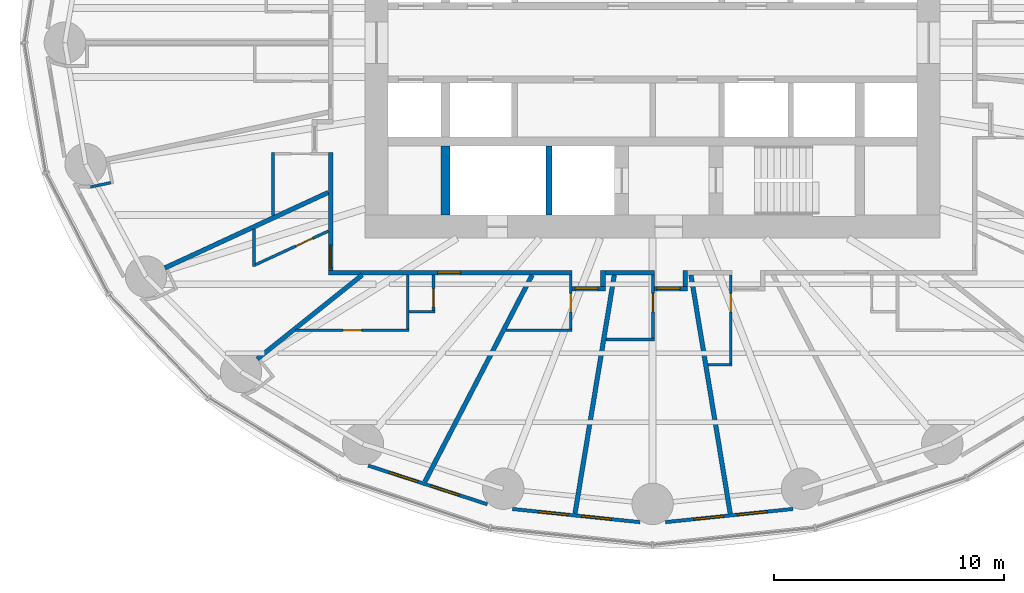
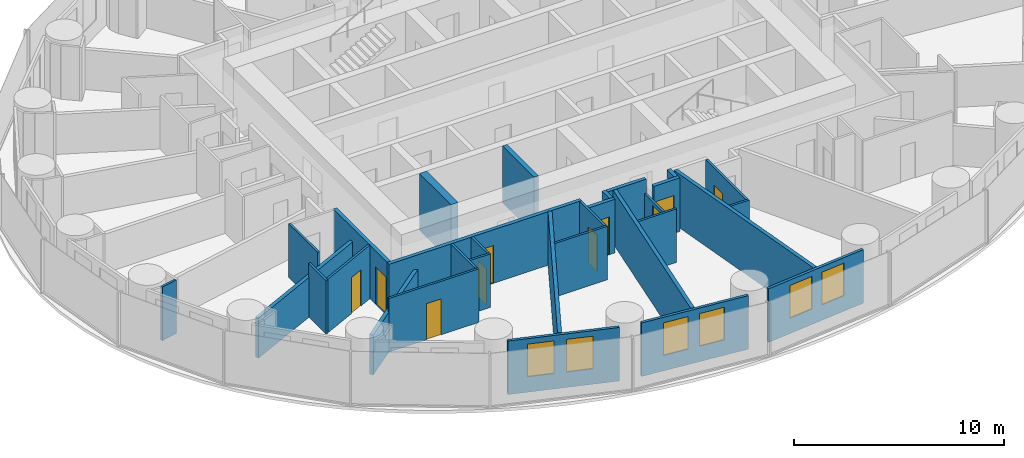
# One storey, part 6 of 14: 31 walls, 10 doors, 6 windows, 16 openings.
"""IFC4 building model written with IfcOpenShell, lengths in metres."""

from ifc_helpers import new_model, si_unit, direction, frame, frame_2d, origin, place, context, subcontext, project, spatial, rectangle, extrude, material, layer, layer_set, type_object, element, fill, save


model = new_model("IFC4")

# Units and contexts
model_context = context("Model", 3, precision=1e-05, world=origin(), true_north=direction((0.0, 1.0)))
body_context = subcontext(model_context, "Body", "Model", "MODEL_VIEW")
ifc_project = project(units=[si_unit("LENGTHUNIT", "METRE"), si_unit("AREAUNIT", "SQUARE_METRE"), si_unit("VOLUMEUNIT", "CUBIC_METRE"), si_unit("PLANEANGLEUNIT", "RADIAN"), si_unit("MASSUNIT", "GRAM", prefix="KILO")], contexts=[model_context])

# Site, building, storey
site_placement = place(None, origin())
site = spatial("IfcSite", under=ifc_project, at=site_placement, CompositionType="ELEMENT")
building_placement = place(site_placement, origin())
building = spatial("IfcBuilding", under=site, at=building_placement, Name="Hankou Lantern Tower", CompositionType="ELEMENT")
storey_placement = place(building_placement, frame((0.0, 0.0, 36.0)))
storey = spatial("IfcBuildingStorey", under=building, at=storey_placement, Name="L07", CompositionType="ELEMENT", Elevation=36.0)

# Wall
ifc_material_1 = material(Name="Concrete C60", Category="concrete")
ifc_layer_1 = layer(ifc_material_1, 0.39990234375)
ifc_layer_set_1 = layer_set([ifc_layer_1], Name="Concrete C60")
wall_type_1 = type_object("IfcWallType", Name="CW4 CORE CROSS WALL 400", PredefinedType="SHEAR", material=ifc_layer_set_1)
wall_1_placement = place(storey_placement, frame((-9.0, -7.5, 0.0), z_axis=(0.0, 0.0, 1.0), x_axis=(0.0, 1.0, 0.0)))
element("IfcWall", 1, at=wall_1_placement, inside=storey, type_object=wall_type_1, Name="Core strip wall L07", PredefinedType="SHEAR", context=body_context, shape_type="SweptSolid", body=[
    extrude(rectangle(XDim=3.0, YDim=0.39990234375, at=frame_2d((1.5, 0.0))), origin(), (0.0, 0.0, 1.0), 3.300048828125),
])

# Wall, openings, windows
ifc_material_2 = material(Name="Aluminium spandrel panel on steel studs", Category="steel")
ifc_layer_2 = layer(ifc_material_2, 0.14990234375)
ifc_layer_set_2 = layer_set([ifc_layer_2], Name="Aluminium spandrel panel on steel studs")
wall_type_2 = type_object("IfcWallType", Name="EW1 INNER SKIN WALL 150", PredefinedType="ELEMENTEDWALL", material=ifc_layer_set_2)
wall_2_placement = place(storey_placement, frame((-12.3662109375, -18.384033203125, 0.0), z_axis=(0.0, 0.0, 1.0), x_axis=(0.951138486029, -0.308764603532, 0.0)))
wall_2 = element("IfcWall", 2, at=wall_2_placement, inside=storey, type_object=wall_type_2, Name="Inner skin R17-R18 L07", PredefinedType="ELEMENTEDWALL", context=body_context, shape_type="SweptSolid", body=[
    extrude(rectangle(XDim=5.444091796875, YDim=0.14990234375, at=frame_2d((2.72216796875, 0.0))), origin(), (0.0, 0.0, 1.0), 3.1201171875),
])
opening_1_placement = place(wall_2_placement, frame((0.959716796875, 0.0, 0.89990234375)))
opening_1 = element("IfcOpeningElement", 3, at=opening_1_placement, cuts=wall_2, Name="Opening W9", PredefinedType="OPENING", context=body_context, shape_type="SweptSolid", body=[
    extrude(rectangle(XDim=1.300048828125, YDim=1.89990234375, at=frame_2d((0.64990234375, 0.949951171875))), frame((0.0, 0.0849609375, 0.0), z_axis=(0.0, -1.0, 0.0), x_axis=(1.0, 0.0, 0.0)), (0.0, 0.0, 1.0), 0.169921875),
])
opening_2_placement = place(wall_2_placement, frame((2.85986328125, 0.0, 0.89990234375)))
opening_2 = element("IfcOpeningElement", 4, at=opening_2_placement, cuts=wall_2, Name="Opening W9", PredefinedType="OPENING", context=body_context, shape_type="SweptSolid", body=[
    extrude(rectangle(XDim=1.300048828125, YDim=1.89990234375, at=frame_2d((0.64990234375, 0.949951171875))), frame((0.0, 0.0849609375, 0.0), z_axis=(0.0, -1.0, 0.0), x_axis=(1.0, 0.0, 0.0)), (0.0, 0.0, 1.0), 0.169921875),
])
ifc_material_3 = material(Name="Aluminium framed double glazed window", Category="aluminium")
window_type = type_object("IfcWindowType", Name="W9 GUEST ROOM WINDOW 1300X1900", PartitioningType="DOUBLE_PANEL_VERTICAL", PredefinedType="WINDOW", material=ifc_material_3)
window_1_placement = place(opening_1_placement, origin())
window_1 = element("IfcWindow", 5, at=window_1_placement, inside=storey, type_object=window_type, Name="Window R17.1 L07", OverallHeight=1.89990234375, OverallWidth=1.300048828125, PartitioningType="SINGLE_PANEL", PredefinedType="WINDOW", context=body_context, shape_type="SweptSolid", body=[
    extrude(rectangle(XDim=1.300048828125, YDim=1.89990234375, at=frame_2d((0.64990234375, 0.949951171875))), frame((0.0, 0.030029296875, 0.0), z_axis=(0.0, -1.0, 0.0), x_axis=(1.0, 0.0, 0.0)), (0.0, 0.0, 1.0), 0.06005859375),
])
fill(opening_1, window_1)
window_2_placement = place(opening_2_placement, origin())
window_2 = element("IfcWindow", 6, at=window_2_placement, inside=storey, type_object=window_type, Name="Window R17.2 L07", OverallHeight=1.89990234375, OverallWidth=1.300048828125, PartitioningType="SINGLE_PANEL", PredefinedType="WINDOW", context=body_context, shape_type="SweptSolid", body=[
    extrude(rectangle(XDim=1.300048828125, YDim=1.89990234375, at=frame_2d((0.64990234375, 0.949951171875))), frame((0.0, 0.030029296875, 0.0), z_axis=(0.0, -1.0, 0.0), x_axis=(1.0, 0.0, 0.0)), (0.0, 0.0, 1.0), 0.06005859375),
])
fill(opening_2, window_2)

wall_3_placement = place(storey_placement, frame((-6.09765625, -20.27099609375, 0.0), z_axis=(0.0, 0.0, 1.0), x_axis=(0.994723735084, -0.102589915983, 0.0)))
wall_3 = element("IfcWall", 7, at=wall_3_placement, inside=storey, type_object=wall_type_2, Name="Inner skin R18-R19 L07", PredefinedType="ELEMENTEDWALL", context=body_context, shape_type="SweptSolid", body=[
    extrude(rectangle(XDim=5.575927734375, YDim=0.14990234375, at=frame_2d((2.7880859375, 0.0))), origin(), (0.0, 0.0, 1.0), 3.1201171875),
])
opening_3_placement = place(wall_3_placement, frame((1.128662109375, 0.0, 0.89990234375)))
opening_3 = element("IfcOpeningElement", 8, at=opening_3_placement, cuts=wall_3, Name="Opening W9", PredefinedType="OPENING", context=body_context, shape_type="SweptSolid", body=[
    extrude(rectangle(XDim=1.300048828125, YDim=1.89990234375, at=frame_2d((0.64990234375, 0.949951171875))), frame((0.0, 0.0849609375, 0.0), z_axis=(0.0, -1.0, 0.0), x_axis=(1.0, 0.0, 0.0)), (0.0, 0.0, 1.0), 0.169921875),
])
opening_4_placement = place(wall_3_placement, frame((3.02880859375, 0.0, 0.89990234375)))
opening_4 = element("IfcOpeningElement", 9, at=opening_4_placement, cuts=wall_3, Name="Opening W9", PredefinedType="OPENING", context=body_context, shape_type="SweptSolid", body=[
    extrude(rectangle(XDim=1.300048828125, YDim=1.89990234375, at=frame_2d((0.64990234375, 0.949951171875))), frame((0.0, 0.0849609375, 0.0), z_axis=(0.0, -1.0, 0.0), x_axis=(1.0, 0.0, 0.0)), (0.0, 0.0, 1.0), 0.169921875),
])
window_3_placement = place(opening_3_placement, origin())
window_3 = element("IfcWindow", 10, at=window_3_placement, inside=storey, type_object=window_type, Name="Window R18.1 L07", OverallHeight=1.89990234375, OverallWidth=1.300048828125, PartitioningType="SINGLE_PANEL", PredefinedType="WINDOW", context=body_context, shape_type="SweptSolid", body=[
    extrude(rectangle(XDim=1.300048828125, YDim=1.89990234375, at=frame_2d((0.64990234375, 0.949951171875))), frame((0.0, 0.030029296875, 0.0), z_axis=(0.0, -1.0, 0.0), x_axis=(1.0, 0.0, 0.0)), (0.0, 0.0, 1.0), 0.06005859375),
])
fill(opening_3, window_3)
window_4_placement = place(opening_4_placement, origin())
window_4 = element("IfcWindow", 11, at=window_4_placement, inside=storey, type_object=window_type, Name="Window R18.2 L07", OverallHeight=1.89990234375, OverallWidth=1.300048828125, PartitioningType="SINGLE_PANEL", PredefinedType="WINDOW", context=body_context, shape_type="SweptSolid", body=[
    extrude(rectangle(XDim=1.300048828125, YDim=1.89990234375, at=frame_2d((0.64990234375, 0.949951171875))), frame((0.0, 0.030029296875, 0.0), z_axis=(0.0, -1.0, 0.0), x_axis=(1.0, 0.0, 0.0)), (0.0, 0.0, 1.0), 0.06005859375),
])
fill(opening_4, window_4)

wall_4_placement = place(storey_placement, frame((0.55126953125, -20.843017578125, 0.0), z_axis=(0.0, 0.0, 1.0), x_axis=(0.994723735084, 0.102589915983, 0.0)))
wall_4 = element("IfcWall", 12, at=wall_4_placement, inside=storey, type_object=wall_type_2, Name="Inner skin R19-R20 L07", PredefinedType="ELEMENTEDWALL", context=body_context, shape_type="SweptSolid", body=[
    extrude(rectangle(XDim=5.575927734375, YDim=0.14990234375, at=frame_2d((2.7880859375, 0.0))), origin(), (0.0, 0.0, 1.0), 3.1201171875),
])
opening_5_placement = place(wall_4_placement, frame((1.246826171875, 0.0, 0.89990234375)))
opening_5 = element("IfcOpeningElement", 13, at=opening_5_placement, cuts=wall_4, Name="Opening W9", PredefinedType="OPENING", context=body_context, shape_type="SweptSolid", body=[
    extrude(rectangle(XDim=1.300048828125, YDim=1.89990234375, at=frame_2d((0.64990234375, 0.949951171875))), frame((0.0, 0.0849609375, 0.0), z_axis=(0.0, -1.0, 0.0), x_axis=(1.0, 0.0, 0.0)), (0.0, 0.0, 1.0), 0.169921875),
])
opening_6_placement = place(wall_4_placement, frame((3.146728515625, 0.0, 0.89990234375)))
opening_6 = element("IfcOpeningElement", 14, at=opening_6_placement, cuts=wall_4, Name="Opening W9", PredefinedType="OPENING", context=body_context, shape_type="SweptSolid", body=[
    extrude(rectangle(XDim=1.300048828125, YDim=1.89990234375, at=frame_2d((0.64990234375, 0.949951171875))), frame((0.0, 0.0849609375, 0.0), z_axis=(0.0, -1.0, 0.0), x_axis=(1.0, 0.0, 0.0)), (0.0, 0.0, 1.0), 0.169921875),
])
window_5_placement = place(opening_5_placement, origin())
window_5 = element("IfcWindow", 15, at=window_5_placement, inside=storey, type_object=window_type, Name="Window R19.1 L07", OverallHeight=1.89990234375, OverallWidth=1.300048828125, PartitioningType="SINGLE_PANEL", PredefinedType="WINDOW", context=body_context, shape_type="SweptSolid", body=[
    extrude(rectangle(XDim=1.300048828125, YDim=1.89990234375, at=frame_2d((0.64990234375, 0.949951171875))), frame((0.0, 0.030029296875, 0.0), z_axis=(0.0, -1.0, 0.0), x_axis=(1.0, 0.0, 0.0)), (0.0, 0.0, 1.0), 0.06005859375),
])
fill(opening_5, window_5)
window_6_placement = place(opening_6_placement, origin())
window_6 = element("IfcWindow", 16, at=window_6_placement, inside=storey, type_object=window_type, Name="Window R19.2 L07", OverallHeight=1.89990234375, OverallWidth=1.300048828125, PartitioningType="SINGLE_PANEL", PredefinedType="WINDOW", context=body_context, shape_type="SweptSolid", body=[
    extrude(rectangle(XDim=1.300048828125, YDim=1.89990234375, at=frame_2d((0.64990234375, 0.949951171875))), frame((0.0, 0.030029296875, 0.0), z_axis=(0.0, -1.0, 0.0), x_axis=(1.0, 0.0, 0.0)), (0.0, 0.0, 1.0), 0.06005859375),
])
fill(opening_6, window_6)

# Walls
ifc_material_4 = material(Name="Masonry lightweight concrete block", Category="masonry")
ifc_layer_3 = layer(ifc_material_4, 0.199951171875)
ifc_layer_set_3 = layer_set([ifc_layer_3], Name="Masonry lightweight concrete block")
wall_type_3 = type_object("IfcWallType", Name="IW1 GUEST ROOM PARTY WALL 200", PredefinedType="PARTITIONING", material=ifc_layer_set_3)
wall_5_placement = place(storey_placement, frame((-14.10009765625, -6.512451171875, 0.0), z_axis=(0.0, 0.0, 1.0), x_axis=(-0.907842433118, -0.41931147925, 0.0)))
element("IfcWall", 17, at=wall_5_placement, inside=storey, type_object=wall_type_3, Name="Party wall R15", PredefinedType="PARTITIONING", context=body_context, shape_type="SweptSolid", body=[
    extrude(rectangle(XDim=7.822998046875, YDim=0.199951171875, at=frame_2d((3.91162109375, 0.0))), origin(), (0.0, 0.0, 1.0), 2.320068359375),
])
wall_6_placement = place(storey_placement, frame((-12.625, -10.10009765625, 0.0), z_axis=(0.0, 0.0, 1.0), x_axis=(-0.780872884676, -0.624689953479, 0.0)))
element("IfcWall", 18, at=wall_6_placement, inside=storey, type_object=wall_type_3, Name="Party wall R16", PredefinedType="PARTITIONING", context=body_context, shape_type="SweptSolid", body=[
    extrude(rectangle(XDim=5.8447265625, YDim=0.199951171875, at=frame_2d((2.92236328125, 0.0))), origin(), (0.0, 0.0, 1.0), 2.320068359375),
])
wall_7_placement = place(storey_placement, frame((-5.238525390625, -10.10009765625, 0.0), z_axis=(0.0, 0.0, 1.0), x_axis=(-0.460422783389, -0.887699758103, 0.0)))
element("IfcWall", 19, at=wall_7_placement, inside=storey, type_object=wall_type_3, Name="Party wall R17-R18", PredefinedType="PARTITIONING", context=body_context, shape_type="SweptSolid", body=[
    extrude(rectangle(XDim=10.120361328125, YDim=0.199951171875, at=frame_2d((5.06005859375, 0.0))), origin(), (0.0, 0.0, 1.0), 3.1201171875),
])
for number, where, z_axis, x_axis, name in (
    (20, (-1.6650390625, -10.10009765625, 0.0), (0.0, 0.0, 1.0), (-0.162657606458, -0.986682574621, 0.0), "Party wall R18-R19"),
    (21, (1.6650390625, -10.10009765625, 0.0), (0.0, 0.0, 1.0), (0.162657606458, -0.986682574621, 0.0), "Party wall R19-R20"),
):
    element("IfcWall", number, at=place(storey_placement, frame(where, z_axis=z_axis, x_axis=x_axis)), inside=storey, type_object=wall_type_3, Name=name, PredefinedType="PARTITIONING", context=body_context, shape_type="SweptSolid", body=[
        extrude(rectangle(XDim=10.505126953125, YDim=0.199951171875, at=frame_2d((5.25244140625, 0.0))), origin(), (0.0, 0.0, 1.0), 3.1201171875),
    ])

# Wall, opening, door
ifc_material_5 = material(Name="Masonry lightweight concrete block", Category="masonry")
ifc_layer_4 = layer(ifc_material_5, 0.199951171875)
ifc_layer_set_4 = layer_set([ifc_layer_4], Name="Masonry lightweight concrete block")
wall_type_4 = type_object("IfcWallType", Name="IW2 CORRIDOR WALL 200", PredefinedType="PARTITIONING", material=ifc_layer_set_4)
wall_8_placement = place(storey_placement, frame((-2.05859375, -10.699951171875, 0.0), z_axis=(0.0, 0.0, 1.0), x_axis=(-1.0, 0.0, 0.0)))
wall_8 = element("IfcWall", 22, at=wall_8_placement, inside=storey, type_object=wall_type_4, Name="Corridor recess wall 0719 back", PredefinedType="PARTITIONING", context=body_context, shape_type="SweptSolid", body=[
    extrude(rectangle(XDim=1.43994140625, YDim=0.199951171875, at=frame_2d((0.719970703125, 0.0))), origin(), (0.0, 0.0, 1.0), 3.1201171875),
])
opening_7_placement = place(wall_8_placement, frame((0.320068359375, 0.0, 0.0)))
opening_7 = element("IfcOpeningElement", 23, at=opening_7_placement, cuts=wall_8, Name="Opening D1", PredefinedType="OPENING", context=body_context, shape_type="SweptSolid", body=[
    extrude(rectangle(XDim=1.0, YDim=2.199951171875, at=frame_2d((0.5, 1.10009765625))), frame((0.0, 0.10986328125, 0.0), z_axis=(0.0, -1.0, 0.0), x_axis=(1.0, 0.0, 0.0)), (0.0, 0.0, 1.0), 0.219970703125),
])
ifc_material_6 = material(Name="Steel door leaf", Category="steel")
door_type_1 = type_object("IfcDoorType", Name="D1 GUEST ROOM DOOR 1000X2200", OperationType="SINGLE_SWING_LEFT", PredefinedType="DOOR", material=ifc_material_6)
door_1_placement = place(opening_7_placement, origin())
door_1 = element("IfcDoor", 24, at=door_1_placement, inside=storey, type_object=door_type_1, Name="Guest room door 0719", OperationType="SINGLE_SWING_RIGHT", OverallHeight=2.199951171875, OverallWidth=1.0, PredefinedType="DOOR", context=body_context, shape_type="SweptSolid", body=[
    extrude(rectangle(XDim=1.0, YDim=2.199951171875, at=frame_2d((0.5, 1.10009765625))), frame((0.0, 0.02490234375, 0.0), z_axis=(0.0, -1.0, 0.0), x_axis=(1.0, 0.0, 0.0)), (0.0, 0.0, 1.0), 0.050048828125),
])
fill(opening_7, door_1)

# Wall
wall_9_placement = place(storey_placement, frame((-2.15869140625, -9.89990234375, 0.0), z_axis=(0.0, 0.0, 1.0), x_axis=(0.0, -1.0, 0.0)))
element("IfcWall", 25, at=wall_9_placement, inside=storey, type_object=wall_type_4, Name="Corridor recess wall 0719 side", PredefinedType="PARTITIONING", context=body_context, shape_type="SweptSolid", body=[
    extrude(rectangle(XDim=0.7001953125, YDim=0.199951171875, at=frame_2d((0.35009765625, 0.0))), origin(), (0.0, 0.0, 1.0), 3.1201171875),
])

# Wall, opening, door
wall_10_placement = place(storey_placement, frame((1.51513671875, -10.699951171875, 0.0), z_axis=(0.0, 0.0, 1.0), x_axis=(-1.0, 0.0, 0.0)))
wall_10 = element("IfcWall", 26, at=wall_10_placement, inside=storey, type_object=wall_type_4, Name="Corridor recess wall 0720 back", PredefinedType="PARTITIONING", context=body_context, shape_type="SweptSolid", body=[
    extrude(rectangle(XDim=1.440185546875, YDim=0.199951171875, at=frame_2d((0.72021484375, 0.0))), origin(), (0.0, 0.0, 1.0), 3.1201171875),
])
opening_8_placement = place(wall_10_placement, frame((0.320068359375, 0.0, 0.0)))
opening_8 = element("IfcOpeningElement", 27, at=opening_8_placement, cuts=wall_10, Name="Opening D1", PredefinedType="OPENING", context=body_context, shape_type="SweptSolid", body=[
    extrude(rectangle(XDim=1.0, YDim=2.199951171875, at=frame_2d((0.5, 1.10009765625))), frame((0.0, 0.10986328125, 0.0), z_axis=(0.0, -1.0, 0.0), x_axis=(1.0, 0.0, 0.0)), (0.0, 0.0, 1.0), 0.219970703125),
])
door_2_placement = place(opening_8_placement, origin())
door_2 = element("IfcDoor", 28, at=door_2_placement, inside=storey, type_object=door_type_1, Name="Guest room door 0720", OperationType="SINGLE_SWING_RIGHT", OverallHeight=2.199951171875, OverallWidth=1.0, PredefinedType="DOOR", context=body_context, shape_type="SweptSolid", body=[
    extrude(rectangle(XDim=1.0, YDim=2.199951171875, at=frame_2d((0.5, 1.10009765625))), frame((0.0, 0.02490234375, 0.0), z_axis=(0.0, -1.0, 0.0), x_axis=(1.0, 0.0, 0.0)), (0.0, 0.0, 1.0), 0.050048828125),
])
fill(opening_8, door_2)

# Wall
wall_11_placement = place(storey_placement, frame((1.4150390625, -9.89990234375, 0.0), z_axis=(0.0, 0.0, 1.0), x_axis=(0.0, -1.0, 0.0)))
element("IfcWall", 29, at=wall_11_placement, inside=storey, type_object=wall_type_4, Name="Corridor recess wall 0720 side", PredefinedType="PARTITIONING", context=body_context, shape_type="SweptSolid", body=[
    extrude(rectangle(XDim=0.7001953125, YDim=0.199951171875, at=frame_2d((0.35009765625, 0.0))), origin(), (0.0, 0.0, 1.0), 3.1201171875),
])

# Wall, opening, door
wall_12_placement = place(storey_placement, frame((-14.0, -4.7724609375, 0.0), z_axis=(0.0, 0.0, 1.0), x_axis=(0.0, -1.0, 0.0)))
wall_12 = element("IfcWall", 30, at=wall_12_placement, inside=storey, type_object=wall_type_4, Name="Corridor wall west", PredefinedType="PARTITIONING", context=body_context, shape_type="SweptSolid", body=[
    extrude(rectangle(XDim=5.12744140625, YDim=0.199951171875, at=frame_2d((2.563720703125, 0.0))), origin(), (0.0, 0.0, 1.0), 3.1201171875),
])
opening_9_placement = place(wall_12_placement, frame((4.02490234375, 0.0, 0.0)))
opening_9 = element("IfcOpeningElement", 31, at=opening_9_placement, cuts=wall_12, Name="Opening D1", PredefinedType="OPENING", context=body_context, shape_type="SweptSolid", body=[
    extrude(rectangle(XDim=1.0, YDim=2.199951171875, at=frame_2d((0.5, 1.10009765625))), frame((0.0, 0.10986328125, 0.0), z_axis=(0.0, -1.0, 0.0), x_axis=(1.0, 0.0, 0.0)), (0.0, 0.0, 1.0), 0.219970703125),
])
door_3_placement = place(opening_9_placement, origin())
door_3 = element("IfcDoor", 32, at=door_3_placement, inside=storey, type_object=door_type_1, Name="Guest room door 0717", OperationType="SINGLE_SWING_RIGHT", OverallHeight=2.199951171875, OverallWidth=1.0, PredefinedType="DOOR", context=body_context, shape_type="SweptSolid", body=[
    extrude(rectangle(XDim=1.0, YDim=2.199951171875, at=frame_2d((0.5, 1.10009765625))), frame((0.0, 0.02490234375, 0.0), z_axis=(0.0, -1.0, 0.0), x_axis=(1.0, 0.0, 0.0)), (0.0, 0.0, 1.0), 0.050048828125),
])
fill(opening_9, door_3)

# Wall
wall_13_placement = place(storey_placement, frame((0.074951171875, -10.0, 0.0), z_axis=(0.0, 0.0, 1.0), x_axis=(-1.0, 0.0, 0.0)))
element("IfcWall", 33, at=wall_13_placement, inside=storey, type_object=wall_type_4, Name="Corridor wall south", PredefinedType="PARTITIONING", context=body_context, shape_type="SweptSolid", body=[
    extrude(rectangle(XDim=2.133544921875, YDim=0.199951171875, at=frame_2d((1.06689453125, 0.0))), origin(), (0.0, 0.0, 1.0), 3.1201171875),
])

# Wall, opening, door
wall_14_placement = place(storey_placement, frame((-3.49853515625, -10.0, 0.0), z_axis=(0.0, 0.0, 1.0), x_axis=(-1.0, 0.0, 0.0)))
wall_14 = element("IfcWall", 34, at=wall_14_placement, inside=storey, type_object=wall_type_4, Name="Corridor wall south", PredefinedType="PARTITIONING", context=body_context, shape_type="SweptSolid", body=[
    extrude(rectangle(XDim=10.6015625, YDim=0.199951171875, at=frame_2d((5.30078125, 0.0))), origin(), (0.0, 0.0, 1.0), 3.1201171875),
])
opening_10_placement = place(wall_14_placement, frame((4.846435546875, 0.0, 0.0)))
opening_10 = element("IfcOpeningElement", 35, at=opening_10_placement, cuts=wall_14, Name="Opening D1", PredefinedType="OPENING", context=body_context, shape_type="SweptSolid", body=[
    extrude(rectangle(XDim=1.0, YDim=2.199951171875, at=frame_2d((0.5, 1.10009765625))), frame((0.0, 0.10986328125, 0.0), z_axis=(0.0, -1.0, 0.0), x_axis=(1.0, 0.0, 0.0)), (0.0, 0.0, 1.0), 0.219970703125),
])
door_4_placement = place(opening_10_placement, origin())
door_4 = element("IfcDoor", 36, at=door_4_placement, inside=storey, type_object=door_type_1, Name="Guest room door 0718", OperationType="SINGLE_SWING_RIGHT", OverallHeight=2.199951171875, OverallWidth=1.0, PredefinedType="DOOR", context=body_context, shape_type="SweptSolid", body=[
    extrude(rectangle(XDim=1.0, YDim=2.199951171875, at=frame_2d((0.5, 1.10009765625))), frame((0.0, 0.02490234375, 0.0), z_axis=(0.0, -1.0, 0.0), x_axis=(1.0, 0.0, 0.0)), (0.0, 0.0, 1.0), 0.050048828125),
])
fill(opening_10, door_4)

# Walls
ifc_material_7 = material(Name="Masonry lightweight concrete block", Category="masonry")
ifc_layer_5 = layer(ifc_material_7, 0.1201171875)
ifc_layer_set_5 = layer_set([ifc_layer_5], Name="Masonry lightweight concrete block")
wall_type_5 = type_object("IfcWallType", Name="IW3 BATHROOM WALL 120", PredefinedType="PARTITIONING", material=ifc_layer_set_5)
wall_15_placement = place(storey_placement, frame((-16.5, -7.52099609375, 0.0), z_axis=(0.0, 0.0, 1.0), x_axis=(0.0, 1.0, 0.0)))
element("IfcWall", 37, at=wall_15_placement, inside=storey, type_object=wall_type_5, Name="Box wall 0716 1", PredefinedType="PARTITIONING", context=body_context, shape_type="SweptSolid", body=[
    extrude(rectangle(XDim=2.74853515625, YDim=0.1201171875, at=frame_2d((1.374267578125, 0.0))), origin(), (0.0, 0.0, 1.0), 3.1201171875),
])
wall_16_placement = place(storey_placement, frame((-17.32275390625, -8.10107421875, 0.0), z_axis=(0.0, 0.0, 1.0), x_axis=(0.0, -1.0, 0.0)))
element("IfcWall", 38, at=wall_16_placement, inside=storey, type_object=wall_type_5, Name="Box wall 0717 1", PredefinedType="PARTITIONING", context=body_context, shape_type="SweptSolid", body=[
    extrude(rectangle(XDim=1.639892578125, YDim=0.1201171875, at=frame_2d((0.81982421875, 0.0))), origin(), (0.0, 0.0, 1.0), 3.1201171875),
])

# Wall, opening, door
wall_17_placement = place(storey_placement, frame((-14.10009765625, -8.192626953125, 0.0), z_axis=(0.0, 0.0, 1.0), x_axis=(-0.907836493557, -0.419324338628, 0.0)))
wall_17 = element("IfcWall", 39, at=wall_17_placement, inside=storey, type_object=wall_type_5, Name="Box wall 0717 1", PredefinedType="PARTITIONING", context=body_context, shape_type="SweptSolid", body=[
    extrude(rectangle(XDim=3.48974609375, YDim=0.1201171875, at=frame_2d((1.744873046875, 0.0))), origin(), (0.0, 0.0, 1.0), 3.1201171875),
])
opening_11_placement = place(wall_17_placement, frame((0.75, 0.0, 0.0)))
opening_11 = element("IfcOpeningElement", 40, at=opening_11_placement, cuts=wall_17, Name="Opening D3", PredefinedType="OPENING", context=body_context, shape_type="SweptSolid", body=[
    extrude(rectangle(XDim=0.800048828125, YDim=2.10009765625, at=frame_2d((0.39990234375, 1.050048828125))), frame((0.0, 0.070068359375, 0.0), z_axis=(0.0, -1.0, 0.0), x_axis=(1.0, 0.0, 0.0)), (0.0, 0.0, 1.0), 0.14013671875),
])
ifc_material_8 = material(Name="Timber door leaf", Category="wood")
door_type_2 = type_object("IfcDoorType", Name="D3 BATHROOM DOOR 800X2100", OperationType="SINGLE_SWING_LEFT", PredefinedType="DOOR", material=ifc_material_8)
door_5_placement = place(opening_11_placement, origin())
door_5 = element("IfcDoor", 41, at=door_5_placement, inside=storey, type_object=door_type_2, Name="En-suite bathroom 0717 door", OperationType="SINGLE_SWING_LEFT", OverallHeight=2.10009765625, OverallWidth=0.800048828125, PredefinedType="DOOR", context=body_context, shape_type="SweptSolid", body=[
    extrude(rectangle(XDim=0.800048828125, YDim=2.10009765625, at=frame_2d((0.39990234375, 1.050048828125))), frame((0.0, 0.02490234375, 0.0), z_axis=(0.0, -1.0, 0.0), x_axis=(1.0, 0.0, 0.0)), (0.0, 0.0, 1.0), 0.050048828125),
])
fill(opening_11, door_5)

wall_18_placement = place(storey_placement, frame((-15.52490234375, -12.5, 0.0), z_axis=(0.0, 0.0, 1.0), x_axis=(1.0, 0.0, 0.0)))
wall_18 = element("IfcWall", 42, at=wall_18_placement, inside=storey, type_object=wall_type_5, Name="Box wall 0718 1", PredefinedType="PARTITIONING", context=body_context, shape_type="SweptSolid", body=[
    extrude(rectangle(XDim=4.93994140625, YDim=0.1201171875, at=frame_2d((2.469970703125, 0.0))), origin(), (0.0, 0.0, 1.0), 3.1201171875),
])
opening_12_placement = place(wall_18_placement, frame((2.070068359375, 0.0, 0.0)))
opening_12 = element("IfcOpeningElement", 43, at=opening_12_placement, cuts=wall_18, Name="Opening D3", PredefinedType="OPENING", context=body_context, shape_type="SweptSolid", body=[
    extrude(rectangle(XDim=0.800048828125, YDim=2.10009765625, at=frame_2d((0.39990234375, 1.050048828125))), frame((0.0, 0.070068359375, 0.0), z_axis=(0.0, -1.0, 0.0), x_axis=(1.0, 0.0, 0.0)), (0.0, 0.0, 1.0), 0.14013671875),
])
door_6_placement = place(opening_12_placement, origin())
door_6 = element("IfcDoor", 44, at=door_6_placement, inside=storey, type_object=door_type_2, Name="En-suite bathroom 0718 door", OperationType="SINGLE_SWING_RIGHT", OverallHeight=2.10009765625, OverallWidth=0.800048828125, PredefinedType="DOOR", context=body_context, shape_type="SweptSolid", body=[
    extrude(rectangle(XDim=0.800048828125, YDim=2.10009765625, at=frame_2d((0.39990234375, 1.050048828125))), frame((0.0, 0.02490234375, 0.0), z_axis=(0.0, -1.0, 0.0), x_axis=(1.0, 0.0, 0.0)), (0.0, 0.0, 1.0), 0.050048828125),
])
fill(opening_12, door_6)

# Walls
wall_19_placement = place(storey_placement, frame((-10.64501953125, -10.10009765625, 0.0), z_axis=(0.0, 0.0, 1.0), x_axis=(0.0, -1.0, 0.0)))
element("IfcWall", 45, at=wall_19_placement, inside=storey, type_object=wall_type_5, Name="Box wall 0718 1", PredefinedType="PARTITIONING", context=body_context, shape_type="SweptSolid", body=[
    extrude(rectangle(XDim=2.33984375, YDim=0.1201171875, at=frame_2d((1.169921875, 0.0))), origin(), (0.0, 0.0, 1.0), 3.1201171875),
])
wall_20_placement = place(storey_placement, frame((-10.5849609375, -11.699951171875, 0.0), z_axis=(0.0, 0.0, 1.0), x_axis=(1.0, 0.0, 0.0)))
element("IfcWall", 46, at=wall_20_placement, inside=storey, type_object=wall_type_5, Name="Box wall 0718 2", PredefinedType="PARTITIONING", context=body_context, shape_type="SweptSolid", body=[
    extrude(rectangle(XDim=1.119873046875, YDim=0.1201171875, at=frame_2d((0.56005859375, 0.0))), origin(), (0.0, 0.0, 1.0), 3.1201171875),
])

# Wall, opening, door
wall_21_placement = place(storey_placement, frame((-9.52490234375, -10.10009765625, 0.0), z_axis=(0.0, 0.0, 1.0), x_axis=(0.0, -1.0, 0.0)))
wall_21 = element("IfcWall", 47, at=wall_21_placement, inside=storey, type_object=wall_type_5, Name="Box wall 0718 2", PredefinedType="PARTITIONING", context=body_context, shape_type="SweptSolid", body=[
    extrude(rectangle(XDim=1.539794921875, YDim=0.1201171875, at=frame_2d((0.77001953125, 0.0))), origin(), (0.0, 0.0, 1.0), 3.1201171875),
])
opening_13_placement = place(wall_21_placement, frame((0.590087890625, 0.0, 0.0)))
opening_13 = element("IfcOpeningElement", 48, at=opening_13_placement, cuts=wall_21, Name="Opening D3", PredefinedType="OPENING", context=body_context, shape_type="SweptSolid", body=[
    extrude(rectangle(XDim=0.800048828125, YDim=2.10009765625, at=frame_2d((0.39990234375, 1.050048828125))), frame((0.0, 0.070068359375, 0.0), z_axis=(0.0, -1.0, 0.0), x_axis=(1.0, 0.0, 0.0)), (0.0, 0.0, 1.0), 0.14013671875),
])
door_7_placement = place(opening_13_placement, origin())
door_7 = element("IfcDoor", 49, at=door_7_placement, inside=storey, type_object=door_type_2, Name="En-suite WC 0718 door", OperationType="SINGLE_SWING_LEFT", OverallHeight=2.10009765625, OverallWidth=0.800048828125, PredefinedType="DOOR", context=body_context, shape_type="SweptSolid", body=[
    extrude(rectangle(XDim=0.800048828125, YDim=2.10009765625, at=frame_2d((0.39990234375, 1.050048828125))), frame((0.0, 0.02490234375, 0.0), z_axis=(0.0, -1.0, 0.0), x_axis=(1.0, 0.0, 0.0)), (0.0, 0.0, 1.0), 0.050048828125),
])
fill(opening_13, door_7)

# Wall
wall_22_placement = place(storey_placement, frame((-6.38330078125, -12.5, 0.0), z_axis=(0.0, 0.0, 1.0), x_axis=(1.0, 0.0, 0.0)))
element("IfcWall", 50, at=wall_22_placement, inside=storey, type_object=wall_type_5, Name="Box wall 0719 1", PredefinedType="PARTITIONING", context=body_context, shape_type="SweptSolid", body=[
    extrude(rectangle(XDim=2.884765625, YDim=0.1201171875, at=frame_2d((1.4423828125, 0.0))), origin(), (0.0, 0.0, 1.0), 3.1201171875),
])

# Wall, opening, door
wall_23_placement = place(storey_placement, frame((-3.55859375, -10.10009765625, 0.0), z_axis=(0.0, 0.0, 1.0), x_axis=(0.0, -1.0, 0.0)))
wall_23 = element("IfcWall", 51, at=wall_23_placement, inside=storey, type_object=wall_type_5, Name="Box wall 0719 1", PredefinedType="PARTITIONING", context=body_context, shape_type="SweptSolid", body=[
    extrude(rectangle(XDim=2.33984375, YDim=0.1201171875, at=frame_2d((1.169921875, 0.0))), origin(), (0.0, 0.0, 1.0), 3.1201171875),
])
opening_14_placement = place(wall_23_placement, frame((0.800048828125, 0.0, 0.0)))
opening_14 = element("IfcOpeningElement", 52, at=opening_14_placement, cuts=wall_23, Name="Opening D3", PredefinedType="OPENING", context=body_context, shape_type="SweptSolid", body=[
    extrude(rectangle(XDim=0.800048828125, YDim=2.10009765625, at=frame_2d((0.39990234375, 1.050048828125))), frame((0.0, 0.070068359375, 0.0), z_axis=(0.0, -1.0, 0.0), x_axis=(1.0, 0.0, 0.0)), (0.0, 0.0, 1.0), 0.14013671875),
])
door_8_placement = place(opening_14_placement, origin())
door_8 = element("IfcDoor", 53, at=door_8_placement, inside=storey, type_object=door_type_2, Name="En-suite bathroom 0719 door", OperationType="SINGLE_SWING_LEFT", OverallHeight=2.10009765625, OverallWidth=0.800048828125, PredefinedType="DOOR", context=body_context, shape_type="SweptSolid", body=[
    extrude(rectangle(XDim=0.800048828125, YDim=2.10009765625, at=frame_2d((0.39990234375, 1.050048828125))), frame((0.0, 0.02490234375, 0.0), z_axis=(0.0, -1.0, 0.0), x_axis=(1.0, 0.0, 0.0)), (0.0, 0.0, 1.0), 0.050048828125),
])
fill(opening_14, door_8)

# Wall
wall_24_placement = place(storey_placement, frame((-2.026611328125, -12.89990234375, 0.0), z_axis=(0.0, 0.0, 1.0), x_axis=(1.0, 0.0, 0.0)))
element("IfcWall", 54, at=wall_24_placement, inside=storey, type_object=wall_type_5, Name="Box wall 0720 1", PredefinedType="PARTITIONING", context=body_context, shape_type="SweptSolid", body=[
    extrude(rectangle(XDim=2.1015625, YDim=0.1201171875, at=frame_2d((1.05078125, 0.0))), origin(), (0.0, 0.0, 1.0), 3.1201171875),
])

# Wall, opening, door
wall_25_placement = place(storey_placement, frame((0.01513671875, -10.10009765625, 0.0), z_axis=(0.0, 0.0, 1.0), x_axis=(0.0, -1.0, 0.0)))
wall_25 = element("IfcWall", 55, at=wall_25_placement, inside=storey, type_object=wall_type_5, Name="Box wall 0720 1", PredefinedType="PARTITIONING", context=body_context, shape_type="SweptSolid", body=[
    extrude(rectangle(XDim=2.739990234375, YDim=0.1201171875, at=frame_2d((1.3701171875, 0.0))), origin(), (0.0, 0.0, 1.0), 2.320068359375),
])
opening_15_placement = place(wall_25_placement, frame((0.800048828125, 0.0, 0.0)))
opening_15 = element("IfcOpeningElement", 56, at=opening_15_placement, cuts=wall_25, Name="Opening D3", PredefinedType="OPENING", context=body_context, shape_type="SweptSolid", body=[
    extrude(rectangle(XDim=0.800048828125, YDim=2.10009765625, at=frame_2d((0.39990234375, 1.050048828125))), frame((0.0, 0.070068359375, 0.0), z_axis=(0.0, -1.0, 0.0), x_axis=(1.0, 0.0, 0.0)), (0.0, 0.0, 1.0), 0.14013671875),
])
door_9_placement = place(opening_15_placement, origin())
door_9 = element("IfcDoor", 57, at=door_9_placement, inside=storey, type_object=door_type_2, Name="En-suite bathroom 0720 door", OperationType="SINGLE_SWING_LEFT", OverallHeight=2.10009765625, OverallWidth=0.800048828125, PredefinedType="DOOR", context=body_context, shape_type="SweptSolid", body=[
    extrude(rectangle(XDim=0.800048828125, YDim=2.10009765625, at=frame_2d((0.39990234375, 1.050048828125))), frame((0.0, 0.02490234375, 0.0), z_axis=(0.0, -1.0, 0.0), x_axis=(1.0, 0.0, 0.0)), (0.0, 0.0, 1.0), 0.050048828125),
])
fill(opening_15, door_9)

# Wall
wall_26_placement = place(storey_placement, frame((2.407958984375, -14.0, 0.0), z_axis=(0.0, 0.0, 1.0), x_axis=(1.0, 0.0, 0.0)))
element("IfcWall", 58, at=wall_26_placement, inside=storey, type_object=wall_type_5, Name="Box wall 0721 1", PredefinedType="PARTITIONING", context=body_context, shape_type="SweptSolid", body=[
    extrude(rectangle(XDim=1.047119140625, YDim=0.1201171875, at=frame_2d((0.5234375, 0.0))), origin(), (0.0, 0.0, 1.0), 3.1201171875),
])

# Wall, opening, door
wall_27_placement = place(storey_placement, frame((3.39501953125, -10.10009765625, 0.0), z_axis=(0.0, 0.0, 1.0), x_axis=(0.0, -1.0, 0.0)))
wall_27 = element("IfcWall", 59, at=wall_27_placement, inside=storey, type_object=wall_type_5, Name="Box wall 0721 1", PredefinedType="PARTITIONING", context=body_context, shape_type="SweptSolid", body=[
    extrude(rectangle(XDim=3.83984375, YDim=0.1201171875, at=frame_2d((1.919921875, 0.0))), origin(), (0.0, 0.0, 1.0), 3.1201171875),
])
opening_16_placement = place(wall_27_placement, frame((0.800048828125, 0.0, 0.0)))
opening_16 = element("IfcOpeningElement", 60, at=opening_16_placement, cuts=wall_27, Name="Opening D3", PredefinedType="OPENING", context=body_context, shape_type="SweptSolid", body=[
    extrude(rectangle(XDim=0.800048828125, YDim=2.10009765625, at=frame_2d((0.39990234375, 1.050048828125))), frame((0.0, 0.070068359375, 0.0), z_axis=(0.0, -1.0, 0.0), x_axis=(1.0, 0.0, 0.0)), (0.0, 0.0, 1.0), 0.14013671875),
])
door_10_placement = place(opening_16_placement, origin())
door_10 = element("IfcDoor", 61, at=door_10_placement, inside=storey, type_object=door_type_2, Name="En-suite bathroom 0721 door", OperationType="SINGLE_SWING_LEFT", OverallHeight=2.10009765625, OverallWidth=0.800048828125, PredefinedType="DOOR", context=body_context, shape_type="SweptSolid", body=[
    extrude(rectangle(XDim=0.800048828125, YDim=2.10009765625, at=frame_2d((0.39990234375, 1.050048828125))), frame((0.0, 0.02490234375, 0.0), z_axis=(0.0, -1.0, 0.0), x_axis=(1.0, 0.0, 0.0)), (0.0, 0.0, 1.0), 0.050048828125),
])
fill(opening_16, door_10)

# Walls
ifc_material_9 = material(Name="Masonry lightweight concrete block", Category="masonry")
ifc_layer_6 = layer(ifc_material_9, 0.1201171875)
ifc_layer_set_6 = layer_set([ifc_layer_6], Name="Masonry lightweight concrete block")
wall_type_6 = type_object("IfcWallType", Name="IW4 PARTITION 120", PredefinedType="PARTITIONING", material=ifc_layer_set_6)
wall_28_placement = place(storey_placement, frame((-23.554443359375, -6.086669921875, 0.0), z_axis=(0.0, 0.0, 1.0), x_axis=(-0.977762694187, -0.209714362543, 0.0)))
element("IfcWall", 62, at=wall_28_placement, inside=storey, type_object=wall_type_6, Name="Column casing R14", PredefinedType="PARTITIONING", context=body_context, shape_type="SweptSolid", body=[
    extrude(rectangle(XDim=0.89990234375, YDim=0.1201171875, at=frame_2d((0.449951171875, 0.0))), origin(), (0.0, 0.0, 1.0), 3.1201171875),
])
ifc_material_10 = material(Name="Masonry autoclaved aerated concrete block", Category="masonry")
ifc_layer_7 = layer(ifc_material_10, 0.25)
ifc_layer_set_7 = layer_set([ifc_layer_7], Name="Masonry autoclaved aerated concrete block")
wall_type_7 = type_object("IfcWallType", Name="SW1 SHAFT BLOCK WALL 250", PredefinedType="PARTITIONING", material=ifc_layer_set_7)
wall_29_placement = place(storey_placement, frame((-4.5, -7.5, 0.0), z_axis=(0.0, 0.0, 1.0), x_axis=(0.0, 1.0, 0.0)))
element("IfcWall", 63, at=wall_29_placement, inside=storey, type_object=wall_type_7, Name="Riser wall L07", PredefinedType="PARTITIONING", context=body_context, shape_type="SweptSolid", body=[
    extrude(rectangle(XDim=3.0, YDim=0.25, at=frame_2d((1.5, 0.0))), origin(), (0.0, 0.0, 1.0), 3.300048828125),
])

save(model, "model.ifc")
